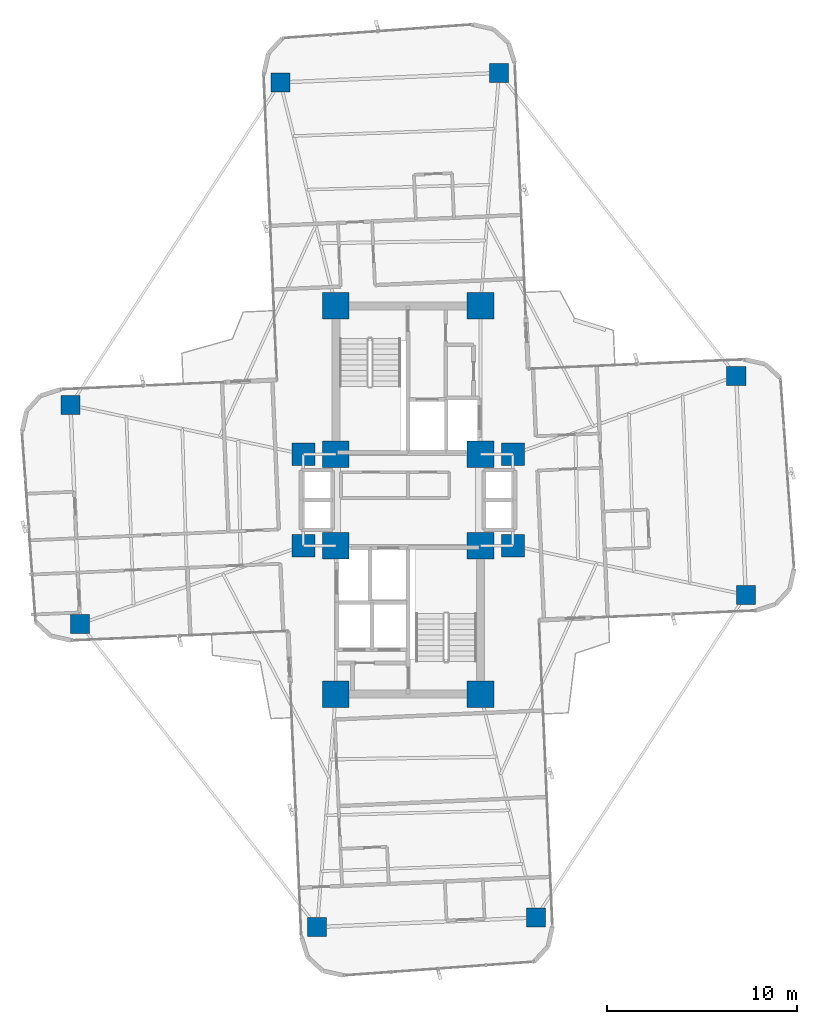
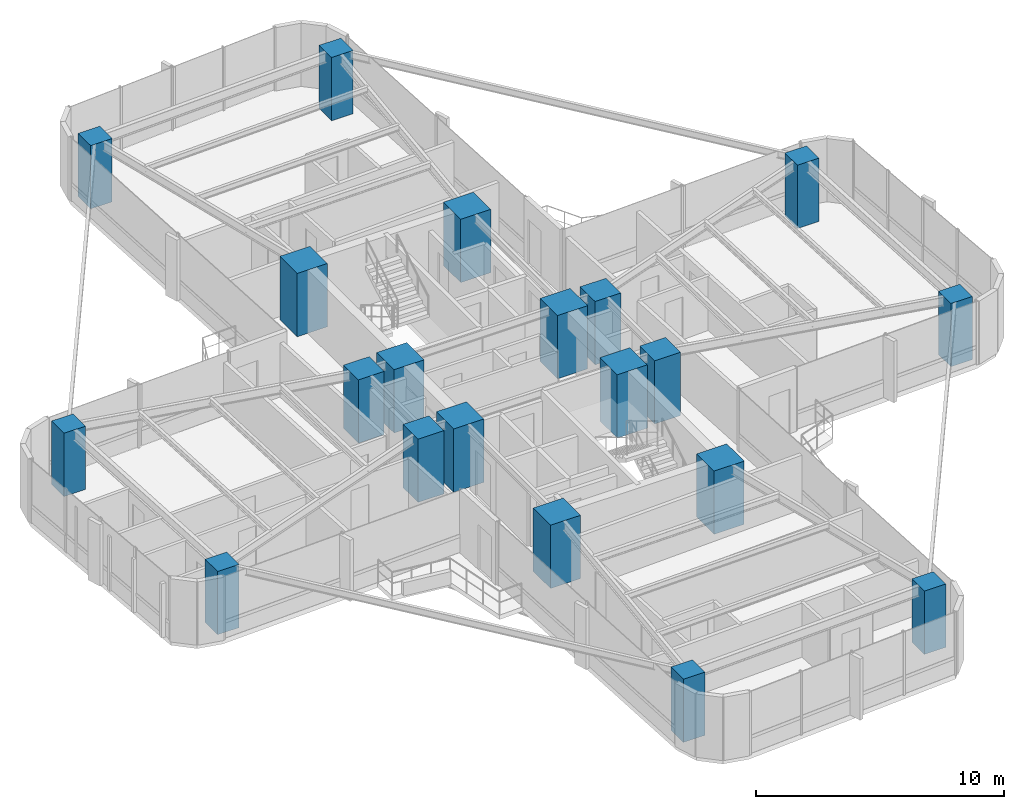
# One storey, part 1 of 26: 20 columns.
"""IFC4 building model written with IfcOpenShell, lengths in metres."""

from ifc_helpers import new_model, si_unit, direction, frame, origin, origin_2d, place, context, subcontext, project, spatial, rectangle, extrude, source, transform, mapped, material, material_profile, profile_set, type_object, element, save


model = new_model("IFC4")

# Units and contexts
model_context = context("Model", 3, precision=1e-05, world=origin(), true_north=direction((0.0, 1.0)))
body_context = subcontext(model_context, "Body", "Model", "MODEL_VIEW")
ifc_project = project(units=[si_unit("LENGTHUNIT", "METRE"), si_unit("AREAUNIT", "SQUARE_METRE"), si_unit("VOLUMEUNIT", "CUBIC_METRE"), si_unit("PLANEANGLEUNIT", "RADIAN"), si_unit("MASSUNIT", "GRAM", prefix="KILO")], contexts=[model_context])

# Site, building, storey
site_placement = place(None, origin())
site = spatial("IfcSite", under=ifc_project, at=site_placement, CompositionType="ELEMENT")
building_placement = place(site_placement, origin())
building = spatial("IfcBuilding", under=site, at=building_placement, Name="Sahyath Konkavel Grand Hotel", CompositionType="ELEMENT")
storey_placement = place(building_placement, frame((0.0, 0.0, 111.449951171875)))
storey = spatial("IfcBuildingStorey", under=building, at=storey_placement, Name="L30", CompositionType="ELEMENT", Elevation=111.449951171875)

# Columns
ifc_material_1 = material(Name="Concrete C70/85", Category="concrete")
ifc_material_profile_1 = material_profile(ifc_material_1, rectangle(XDim=1.39990234375, YDim=1.39990234375, at=origin_2d()), Name="RC 1400x1400")
ifc_profile_set_1 = profile_set([ifc_material_profile_1], Name="Concrete C70/85")
column_type_1 = type_object("IfcColumnType", Name="COL-RC1400", PredefinedType="COLUMN", material=ifc_profile_set_1)
shared_shape_1 = source(origin(), body_context, "Body", "SweptSolid", [
    extrude(rectangle(XDim=1.39990234375, YDim=1.39990234375, at=origin_2d()), origin(), (0.0, 0.0, 1.0), 3.110107421875),
])
for number, where, z_axis, x_axis, name in (
    (1, (-3.800048828125, 2.39990234375, 0.0), (0.0, 0.0, 1.0), (1.0, 0.0, 0.0), "L30 Core Boundary Column NC-SW"),
    (2, (3.800048828125, 2.39990234375, 0.0), (0.0, 0.0, 1.0), (1.0, 0.0, 0.0), "L30 Core Boundary Column NC-SE"),
    (3, (-3.800048828125, 10.199951171875, 0.0), (0.0, 0.0, 1.0), (1.0, 0.0, 0.0), "L30 Core Boundary Column NC-NW"),
    (4, (3.800048828125, 10.199951171875, 0.0), (0.0, 0.0, 1.0), (1.0, 0.0, 0.0), "L30 Core Boundary Column NC-NE"),
    (5, (-3.800048828125, -2.39990234375, 0.0), (0.0, 0.0, 1.0), (1.0, 0.0, 0.0), "L30 Core Boundary Column SC-NW"),
    (6, (3.800048828125, -2.39990234375, 0.0), (0.0, 0.0, 1.0), (1.0, 0.0, 0.0), "L30 Core Boundary Column SC-NE"),
    (7, (-3.800048828125, -10.199951171875, 0.0), (0.0, 0.0, 1.0), (1.0, 0.0, 0.0), "L30 Core Boundary Column SC-SW"),
    (8, (3.800048828125, -10.199951171875, 0.0), (0.0, 0.0, 1.0), (1.0, 0.0, 0.0), "L30 Core Boundary Column SC-SE"),
):
    element("IfcColumn", number, at=place(storey_placement, frame(where, z_axis=z_axis, x_axis=x_axis)), inside=storey, type_object=column_type_1, Name=name, PredefinedType="COLUMN", context=body_context, shape_type="MappedRepresentation", body=[
        mapped(shared_shape_1, transform((0.0, 0.0, 0.0), scale=1.0)),
    ])
ifc_material_2 = material(Name="Concrete C50/60", Category="concrete")
ifc_material_profile_2 = material_profile(ifc_material_2, rectangle(XDim=1.199951171875, YDim=1.199951171875, at=origin_2d()), Name="RC 1200x1200")
ifc_profile_set_2 = profile_set([ifc_material_profile_2], Name="Concrete C50/60")
column_type_2 = type_object("IfcColumnType", Name="COL-RC1200", PredefinedType="COLUMN", material=ifc_profile_set_2)
shared_shape_2 = source(origin(), body_context, "Body", "SweptSolid", [
    extrude(rectangle(XDim=1.199951171875, YDim=1.199951171875, at=origin_2d()), origin(), (0.0, 0.0, 1.0), 3.110107421875),
])
for number, where, z_axis, x_axis, name in (
    (9, (5.5, 2.39990234375, 0.0), (0.0, 0.0, 1.0), (1.0, 0.0, 0.0), "L30 Central Spine Column HB-NE"),
    (10, (-5.5, 2.39990234375, 0.0), (0.0, 0.0, 1.0), (1.0, 0.0, 0.0), "L30 Central Spine Column HB-NW"),
    (11, (5.5, -2.39990234375, 0.0), (0.0, 0.0, 1.0), (1.0, 0.0, 0.0), "L30 Central Spine Column HB-SE"),
    (12, (-5.5, -2.39990234375, 0.0), (0.0, 0.0, 1.0), (1.0, 0.0, 0.0), "L30 Central Spine Column HB-SW"),
):
    element("IfcColumn", number, at=place(storey_placement, frame(where, z_axis=z_axis, x_axis=x_axis)), inside=storey, type_object=column_type_2, Name=name, PredefinedType="COLUMN", context=body_context, shape_type="MappedRepresentation", body=[
        mapped(shared_shape_2, transform((0.0, 0.0, 0.0), scale=1.0)),
    ])
ifc_material_profile_3 = material_profile(ifc_material_2, rectangle(XDim=1.0, YDim=1.0, at=origin_2d()), Name="RC 1000x1000")
ifc_profile_set_3 = profile_set([ifc_material_profile_3], Name="Concrete C50/60")
column_type_3 = type_object("IfcColumnType", Name="COL-RC1000", PredefinedType="COLUMN", material=ifc_profile_set_3)
shared_shape_3 = source(origin(), body_context, "Body", "SweptSolid", [
    extrude(rectangle(XDim=1.0, YDim=1.0, at=origin_2d()), origin(), (0.0, 0.0, 1.0), 3.110107421875),
])
for number, where, z_axis, x_axis, name in (
    (13, (17.734130859375, -4.981201171875, 0.0), (0.0, 0.0, 1.0), (1.0, 0.0, 0.0), "L30 Cruciform Wing Column WC-EA"),
    (14, (17.232421875, 6.5078125, 0.0), (0.0, 0.0, 1.0), (1.0, 0.0, 0.0), "L30 Cruciform Wing Column WC-EB"),
    (15, (4.776123046875, 22.4296875, 0.0), (0.0, 0.0, 1.0), (1.0, 0.0, 0.0), "L30 Cruciform Wing Column WC-NA"),
    (16, (-6.712890625, 21.927978515625, 0.0), (0.0, 0.0, 1.0), (1.0, 0.0, 0.0), "L30 Cruciform Wing Column WC-NB"),
    (17, (-17.734130859375, 4.981201171875, 0.0), (0.0, 0.0, 1.0), (1.0, 0.0, 0.0), "L30 Cruciform Wing Column WC-WA"),
    (18, (-17.232421875, -6.5078125, 0.0), (0.0, 0.0, 1.0), (1.0, 0.0, 0.0), "L30 Cruciform Wing Column WC-WB"),
    (19, (-4.776123046875, -22.4296875, 0.0), (0.0, 0.0, 1.0), (1.0, 0.0, 0.0), "L30 Cruciform Wing Column WC-SA"),
    (20, (6.712890625, -21.927978515625, 0.0), (0.0, 0.0, 1.0), (1.0, 0.0, 0.0), "L30 Cruciform Wing Column WC-SB"),
):
    element("IfcColumn", number, at=place(storey_placement, frame(where, z_axis=z_axis, x_axis=x_axis)), inside=storey, type_object=column_type_3, Name=name, PredefinedType="COLUMN", context=body_context, shape_type="MappedRepresentation", body=[
        mapped(shared_shape_3, transform((0.0, 0.0, 0.0), scale=1.0)),
    ])

save(model, "model.ifc")
